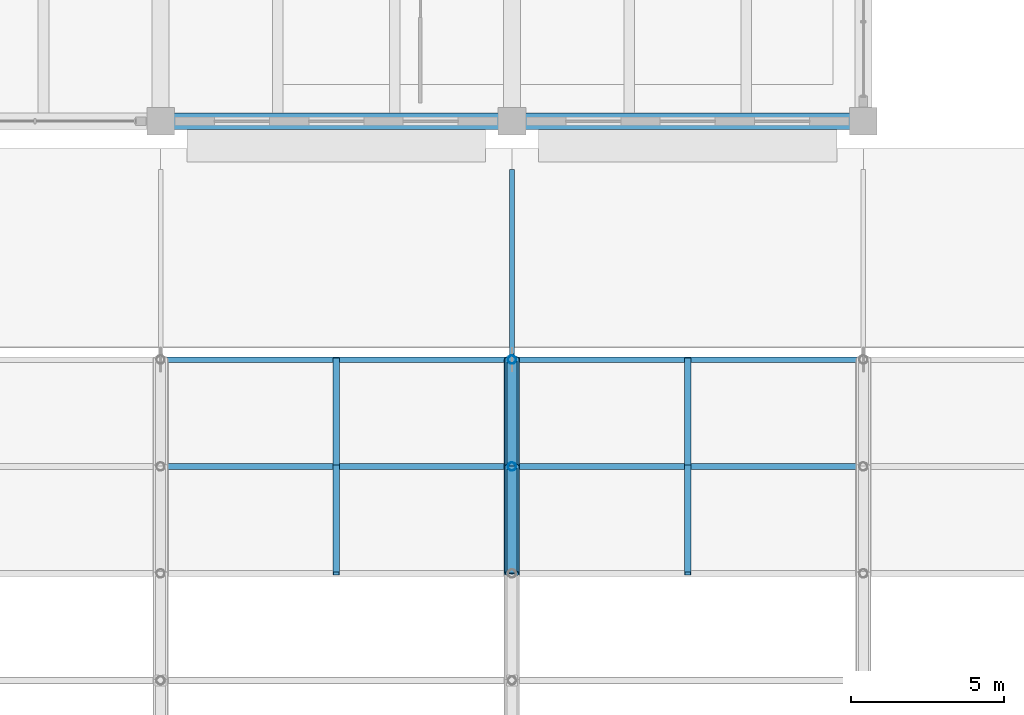
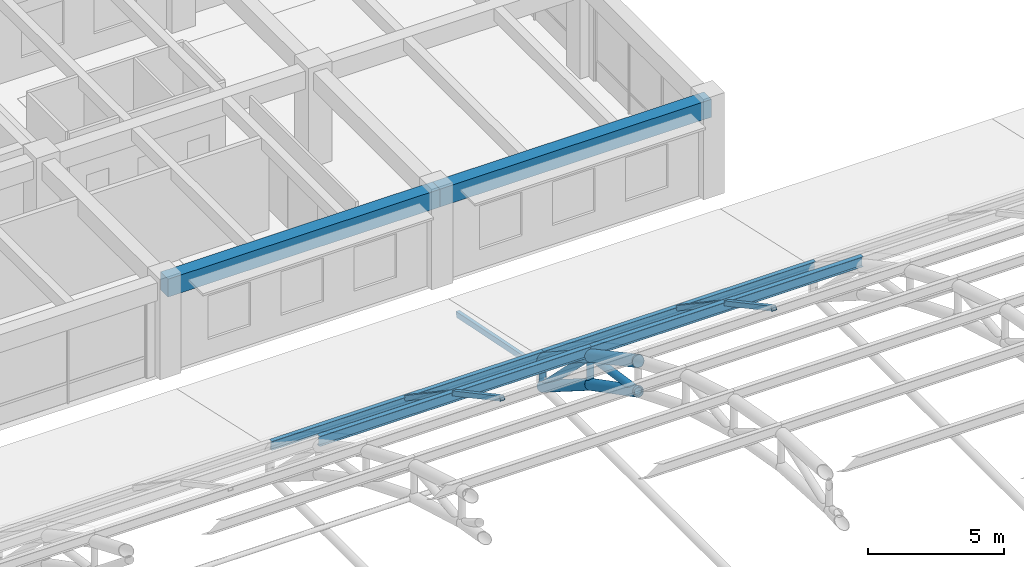
# One storey, part 72 of 154: 17 members, 2 beams.
"""IFC4 building model written with IfcOpenShell, lengths in metres."""

from ifc_helpers import new_model, si_unit, direction, frame, origin, origin_2d, place, context, subcontext, project, spatial, rectangle, hollow_rectangle, hollow_circle, i_section, extrude, material, material_profile, profile_set, type_object, element, save


model = new_model("IFC4")

# Units and contexts
model_context = context("Model", 3, precision=1e-05, world=origin(), true_north=direction((0.0, 1.0)))
body_context = subcontext(model_context, "Body", "Model", "MODEL_VIEW")
ifc_project = project(units=[si_unit("LENGTHUNIT", "METRE"), si_unit("AREAUNIT", "SQUARE_METRE"), si_unit("VOLUMEUNIT", "CUBIC_METRE"), si_unit("PLANEANGLEUNIT", "RADIAN"), si_unit("MASSUNIT", "GRAM", prefix="KILO")], contexts=[model_context])

# Site, building, storey
site_placement = place(None, origin())
site = spatial("IfcSite", under=ifc_project, at=site_placement, CompositionType="ELEMENT")
building_placement = place(site_placement, origin())
building = spatial("IfcBuilding", under=site, at=building_placement, Name="Ologun Quay Terminus", CompositionType="ELEMENT")
storey_placement = place(building_placement, frame((0.0, 0.0, 13.800048828125)))
storey = spatial("IfcBuildingStorey", under=building, at=storey_placement, Name="L03", CompositionType="ELEMENT", Elevation=13.800048828125)

# Members
ifc_material_1 = material(Name="Steel S355", Category="steel")
ifc_material_profile_1 = material_profile(ifc_material_1, hollow_circle(Radius=0.136474609375, WallThickness=0.010009765625, at=origin_2d()), Name="CHS 273x10")
ifc_profile_set_1 = profile_set([ifc_material_profile_1], Name="Steel S355")
member_type_1 = type_object("IfcMemberType", Name="Arch Truss Vertical Post CHS273", PredefinedType="STRUT", material=ifc_profile_set_1)
member_1_placement = place(storey_placement, frame((57.5, 74.5, 2.212158203125), z_axis=(0.0, 0.0, 1.0), x_axis=(1.0, 0.0, 0.0)))
element("IfcMember", 1, at=member_1_placement, inside=storey, type_object=member_type_1, Name="AW2 Arch Web Post 6-N11", PredefinedType="STRUT", context=body_context, shape_type="SweptSolid", body=[
    extrude(hollow_circle(Radius=0.136474609375, WallThickness=0.010009765625, at=origin_2d()), origin(), (0.0, 0.0, 1.0), 1.28564453125),
])
member_2_placement = place(storey_placement, frame((57.5, 78.0, 0.0), z_axis=(0.0, 0.0, 1.0), x_axis=(1.0, 0.0, 0.0)))
element("IfcMember", 2, at=member_2_placement, inside=storey, type_object=member_type_1, Name="AW2 Arch Web Post 6-N12", PredefinedType="STRUT", context=body_context, shape_type="SweptSolid", body=[
    extrude(hollow_circle(Radius=0.136474609375, WallThickness=0.010009765625, at=origin_2d()), origin(), (0.0, 0.0, 1.0), 1.199951171875),
])
ifc_material_2 = material(Name="Steel S355", Category="steel")
ifc_material_profile_2 = material_profile(ifc_material_2, hollow_circle(Radius=0.161865234375, WallThickness=0.010009765625, at=origin_2d()), Name="CHS 323.9x10")
ifc_profile_set_2 = profile_set([ifc_material_profile_2], Name="Steel S355")
member_type_2 = type_object("IfcMemberType", Name="Arch Truss Web Diagonal CHS323", PredefinedType="BRACE", material=ifc_profile_set_2)
member_3_placement = place(storey_placement, frame((57.5, 71.0, 4.022216796875), z_axis=(0.0, 0.988960627525, -0.148178531524), x_axis=(-1.0, 0.0, 0.0)))
element("IfcMember", 3, at=member_3_placement, inside=storey, type_object=member_type_2, Name="AW1 Arch Web Diagonal 6-P11", PredefinedType="BRACE", context=body_context, shape_type="SweptSolid", body=[
    extrude(hollow_circle(Radius=0.161865234375, WallThickness=0.010009765625, at=origin_2d()), origin(), (0.0, 0.0, 1.0), 3.5390625),
])
member_4_placement = place(storey_placement, frame((57.5, 74.5, 3.497802734375), z_axis=(0.0, 0.707328773357, -0.706884719301), x_axis=(-1.0, 0.0, 0.0)))
element("IfcMember", 4, at=member_4_placement, inside=storey, type_object=member_type_2, Name="AW1 Arch Web Diagonal 6-P12", PredefinedType="BRACE", context=body_context, shape_type="SweptSolid", body=[
    extrude(hollow_circle(Radius=0.161865234375, WallThickness=0.010009765625, at=origin_2d()), origin(), (0.0, 0.0, 1.0), 4.9482421875),
])

# Beams
ifc_material_3 = material(Name="Concrete C40/50", Category="concrete")
ifc_material_profile_3 = material_profile(ifc_material_3, rectangle(XDim=0.550048828125, YDim=0.800048828125, at=origin_2d()), Name="RC 550x800")
ifc_profile_set_3 = profile_set([ifc_material_profile_3], Name="Concrete C40/50")
beam_type = type_object("IfcBeamType", Name="Courtyard Wing Primary Girder 550x800", PredefinedType="BEAM", material=ifc_profile_set_3)
for number, where, z_axis, x_axis, name in (
    (5, (46.0, 85.800048828125, 3.849853515625), (1.0, 0.0, 0.0), (0.0, 1.0, 0.0), "B4 Beam 5/G2 L03"),
    (6, (57.5, 85.800048828125, 3.849853515625), (1.0, 0.0, 0.0), (0.0, 1.0, 0.0), "B4 Beam 6/G2 L03"),
):
    element("IfcBeam", number, at=place(storey_placement, frame(where, z_axis=z_axis, x_axis=x_axis)), inside=storey, type_object=beam_type, Name=name, PredefinedType="BEAM", context=body_context, shape_type="SweptSolid", body=[
        extrude(rectangle(XDim=0.550048828125, YDim=0.800048828125, at=origin_2d()), origin(), (0.0, 0.0, 1.0), 11.5),
    ])

# Members
ifc_material_4 = material(Name="Steel S355", Category="steel")
ifc_material_profile_4 = material_profile(ifc_material_4, hollow_circle(Radius=0.228515625, WallThickness=0.01611328125, at=origin_2d()), Name="CHS 457x16")
ifc_profile_set_4 = profile_set([ifc_material_profile_4], Name="Steel S355")
member_type_3 = type_object("IfcMemberType", Name="Parabolic Arch Bottom Chord CHS457", PredefinedType="CHORD", material=ifc_profile_set_4)
member_5_placement = place(storey_placement, frame((57.5, 71.0, 4.022216796875), z_axis=(0.0, 0.888247284083, -0.459365608551), x_axis=(-1.0, 0.0, 0.0)))
element("IfcMember", 7, at=member_5_placement, inside=storey, type_object=member_type_3, Name="AC2 Arch Bottom Chord 6-P11", PredefinedType="CHORD", context=body_context, shape_type="SweptSolid", body=[
    extrude(hollow_circle(Radius=0.228515625, WallThickness=0.01611328125, at=origin_2d()), origin(), (0.0, 0.0, 1.0), 3.9404296875),
])
member_6_placement = place(storey_placement, frame((57.5, 74.5, 2.212158203125), z_axis=(0.0, 0.845310912611, -0.534274705578), x_axis=(-1.0, 0.0, 0.0)))
element("IfcMember", 8, at=member_6_placement, inside=storey, type_object=member_type_3, Name="AC2 Arch Bottom Chord 6-P12", PredefinedType="CHORD", context=body_context, shape_type="SweptSolid", body=[
    extrude(hollow_circle(Radius=0.228515625, WallThickness=0.01611328125, at=origin_2d()), origin(), (0.0, 0.0, 1.0), 4.140380859375),
])
ifc_material_5 = material(Name="Steel S355", Category="steel")
ifc_material_profile_5 = material_profile(ifc_material_5, hollow_circle(Radius=0.25390625, WallThickness=0.01611328125, at=origin_2d()), Name="CHS 508x16")
ifc_profile_set_5 = profile_set([ifc_material_profile_5], Name="Steel S355")
member_type_4 = type_object("IfcMemberType", Name="Parabolic Arch Top Chord CHS508", PredefinedType="CHORD", material=ifc_profile_set_5)
member_7_placement = place(storey_placement, frame((57.5, 71.0, 5.377685546875), z_axis=(0.0, 0.880967864924, -0.473176099324), x_axis=(-1.0, 0.0, 0.0)))
element("IfcMember", 9, at=member_7_placement, inside=storey, type_object=member_type_4, Name="Arch Top Chord 6-P11", PredefinedType="CHORD", context=body_context, shape_type="SweptSolid", body=[
    extrude(hollow_circle(Radius=0.25390625, WallThickness=0.01611328125, at=origin_2d()), origin(), (0.0, 0.0, 1.0), 3.972900390625),
])
member_8_placement = place(storey_placement, frame((57.5, 74.5, 3.497802734375), z_axis=(0.0, 0.835940905918, -0.548819461949), x_axis=(-1.0, 0.0, 0.0)))
element("IfcMember", 10, at=member_8_placement, inside=storey, type_object=member_type_4, Name="Arch Top Chord 6-P12", PredefinedType="CHORD", context=body_context, shape_type="SweptSolid", body=[
    extrude(hollow_circle(Radius=0.25390625, WallThickness=0.01611328125, at=origin_2d()), origin(), (0.0, 0.0, 1.0), 4.18701171875),
])
ifc_material_6 = material(Name="Steel S355", Category="steel")
ifc_material_profile_6 = material_profile(ifc_material_6, hollow_rectangle(XDim=0.199951171875, YDim=0.199951171875, WallThickness=0.008056640625, at=origin_2d()), Name="SHS 200x200x8")
ifc_profile_set_6 = profile_set([ifc_material_profile_6], Name="Steel S355")
member_type_5 = type_object("IfcMemberType", Name="Skylight Cross Transom Bar RHS150", PredefinedType="STRUT", material=ifc_profile_set_6)
member_9_placement = place(storey_placement, frame((51.75, 71.0, 5.731689453125), z_axis=(0.0, 0.880967864924, -0.473176099324), x_axis=(-1.0, 0.0, 0.0)))
element("IfcMember", 11, at=member_9_placement, inside=storey, type_object=member_type_5, Name="SK2 Eave Secondary Rafter B5-P11", PredefinedType="STRUT", context=body_context, shape_type="SweptSolid", body=[
    extrude(hollow_rectangle(XDim=0.199951171875, YDim=0.199951171875, WallThickness=0.008056640625, at=origin_2d()), origin(), (0.0, 0.0, 1.0), 3.972900390625),
])
member_10_placement = place(storey_placement, frame((51.75, 74.5, 3.851806640625), z_axis=(0.0, 0.830398014247, -0.55717065423), x_axis=(-1.0, 0.0, 0.0)))
element("IfcMember", 12, at=member_10_placement, inside=storey, type_object=member_type_5, Name="SK2 Eave Secondary Rafter B5-P12", PredefinedType="STRUT", context=body_context, shape_type="SweptSolid", body=[
    extrude(hollow_rectangle(XDim=0.199951171875, YDim=0.199951171875, WallThickness=0.008056640625, at=origin_2d()), origin(), (0.0, 0.0, 1.0), 4.21484375),
])
member_11_placement = place(storey_placement, frame((63.25, 71.0, 5.731689453125), z_axis=(0.0, 0.880967864924, -0.473176099324), x_axis=(-1.0, 0.0, 0.0)))
element("IfcMember", 13, at=member_11_placement, inside=storey, type_object=member_type_5, Name="SK2 Eave Secondary Rafter B6-P11", PredefinedType="STRUT", context=body_context, shape_type="SweptSolid", body=[
    extrude(hollow_rectangle(XDim=0.199951171875, YDim=0.199951171875, WallThickness=0.008056640625, at=origin_2d()), origin(), (0.0, 0.0, 1.0), 3.972900390625),
])
member_12_placement = place(storey_placement, frame((63.25, 74.5, 3.851806640625), z_axis=(0.0, 0.830398014247, -0.55717065423), x_axis=(-1.0, 0.0, 0.0)))
element("IfcMember", 14, at=member_12_placement, inside=storey, type_object=member_type_5, Name="SK2 Eave Secondary Rafter B6-P12", PredefinedType="STRUT", context=body_context, shape_type="SweptSolid", body=[
    extrude(hollow_rectangle(XDim=0.199951171875, YDim=0.199951171875, WallThickness=0.008056640625, at=origin_2d()), origin(), (0.0, 0.0, 1.0), 4.21484375),
])
ifc_material_7 = material(Name="Steel S355", Category="steel")
ifc_material_profile_7 = material_profile(ifc_material_7, hollow_rectangle(XDim=0.14990234375, YDim=0.25, WallThickness=0.008056640625, at=origin_2d()), Name="RHS 250x150x8")
ifc_profile_set_7 = profile_set([ifc_material_profile_7], Name="Steel S355")
member_type_6 = type_object("IfcMemberType", Name="Skylight Longitudinal Glazing Bar RHS200", PredefinedType="PURLIN", material=ifc_profile_set_7)
member_13_placement = place(storey_placement, frame((57.5, 84.199951171875, -0.520263671875), z_axis=(0.0, -0.98005285553, 0.19873701308), x_axis=(1.0, 0.0, 0.0)))
element("IfcMember", 15, at=member_13_placement, inside=storey, type_object=member_type_6, Name="SK1 Inclined Roof Rafter L03-NGAL-6", PredefinedType="PURLIN", context=body_context, shape_type="SweptSolid", body=[
    extrude(hollow_rectangle(XDim=0.14990234375, YDim=0.25, WallThickness=0.008056640625, at=origin_2d()), origin(), (0.0, 0.0, 1.0), 6.16064453125),
])
ifc_material_8 = material(Name="Steel S355", Category="steel")
ifc_material_profile_8 = material_profile(ifc_material_8, i_section(OverallWidth=0.177978515625, OverallDepth=0.406494140625, WebThickness=0.0078125, FlangeThickness=0.0126953125, at=origin_2d()), Name="UKB 406x178x60")
ifc_profile_set_8 = profile_set([ifc_material_profile_8], Name="Steel S355")
member_type_7 = type_object("IfcMemberType", Name="Train Shed Eave & Ridge Purlin UKB406", PredefinedType="PURLIN", material=ifc_profile_set_8)
for number, where, z_axis, x_axis, name in (
    (16, (46.0, 78.0, 1.403076171875), (1.0, 0.0, 0.0), (0.0, 1.0, 0.0), "PR2 Roof Purlin B5-N12"),
    (17, (57.5, 78.0, 1.403076171875), (1.0, 0.0, 0.0), (0.0, 1.0, 0.0), "PR2 Roof Purlin B6-N12"),
):
    element("IfcMember", number, at=place(storey_placement, frame(where, z_axis=z_axis, x_axis=x_axis)), inside=storey, type_object=member_type_7, Name=name, PredefinedType="PURLIN", context=body_context, shape_type="SweptSolid", body=[
        extrude(i_section(OverallWidth=0.177978515625, OverallDepth=0.406494140625, WebThickness=0.0078125, FlangeThickness=0.0126953125, at=origin_2d()), origin(), (0.0, 0.0, 1.0), 11.5),
    ])
ifc_material_9 = material(Name="Steel S355", Category="steel")
ifc_material_profile_9 = material_profile(ifc_material_9, i_section(OverallWidth=0.1904296875, OverallDepth=0.45703125, WebThickness=0.009033203125, FlangeThickness=0.014404296875, at=origin_2d()), Name="UKB 457x191x74")
ifc_profile_set_9 = profile_set([ifc_material_profile_9], Name="Steel S355")
member_type_8 = type_object("IfcMemberType", Name="Train Shed Primary Roof Purlin UKB457", PredefinedType="PURLIN", material=ifc_profile_set_9)
for number, where, z_axis, x_axis, name in (
    (18, (46.0, 74.5, 3.726318359375), (1.0, 0.0, 0.0), (0.0, 1.0, 0.0), "PR1 Roof Purlin B5-N11"),
    (19, (57.5, 74.5, 3.726318359375), (1.0, 0.0, 0.0), (0.0, 1.0, 0.0), "PR1 Roof Purlin B6-N11"),
):
    element("IfcMember", number, at=place(storey_placement, frame(where, z_axis=z_axis, x_axis=x_axis)), inside=storey, type_object=member_type_8, Name=name, PredefinedType="PURLIN", context=body_context, shape_type="SweptSolid", body=[
        extrude(i_section(OverallWidth=0.1904296875, OverallDepth=0.45703125, WebThickness=0.009033203125, FlangeThickness=0.014404296875, at=origin_2d()), origin(), (0.0, 0.0, 1.0), 11.5),
    ])

save(model, "model.ifc")
